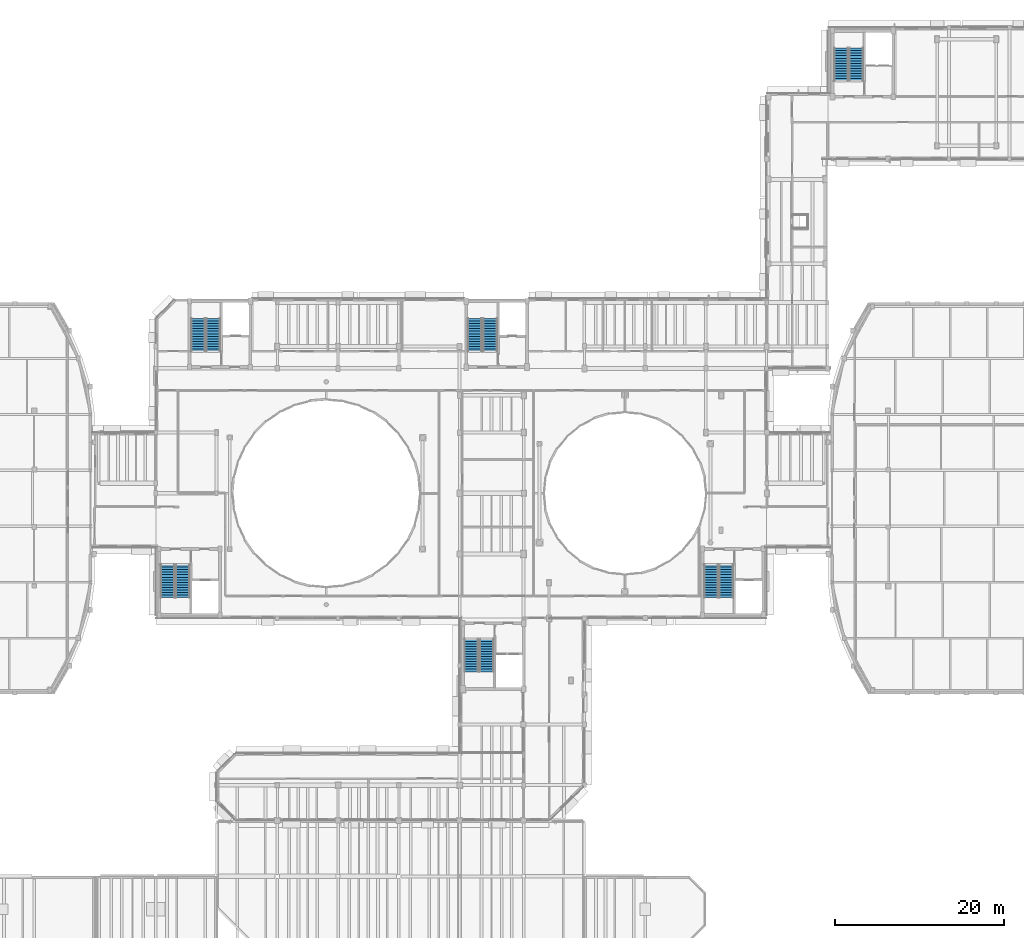
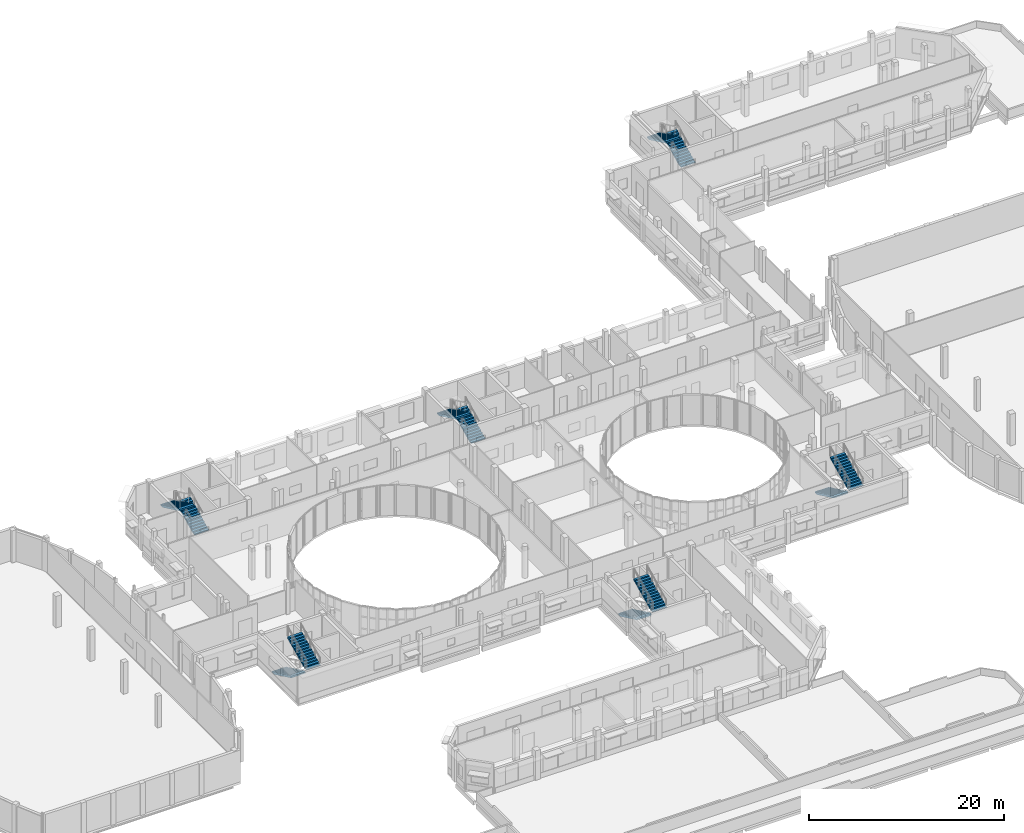
# One storey, part 88 of 105: 12 stair flights, 6 elements without a shape of their own.
"""IFC4 building model written with IfcOpenShell, lengths in metres."""

from ifc_helpers import new_model, si_unit, direction, frame, origin, place, context, subcontext, project, spatial, polyline, outline, extrude, material, type_object, element, aggregate, save


model = new_model("IFC4")

# Units and contexts
model_context = context("Model", 3, precision=1e-05, world=origin(), true_north=direction((0.0, 1.0)))
body_context = subcontext(model_context, "Body", "Model", "MODEL_VIEW")
ifc_project = project(units=[si_unit("LENGTHUNIT", "METRE"), si_unit("AREAUNIT", "SQUARE_METRE"), si_unit("VOLUMEUNIT", "CUBIC_METRE"), si_unit("PLANEANGLEUNIT", "RADIAN"), si_unit("MASSUNIT", "GRAM", prefix="KILO")], contexts=[model_context])

# Site, building, storey
site_placement = place(None, origin())
site = spatial("IfcSite", under=ifc_project, at=site_placement, CompositionType="ELEMENT")
building_placement = place(site_placement, origin())
building = spatial("IfcBuilding", under=site, at=building_placement, Name="Kelanivale Promenade Academy", CompositionType="ELEMENT")
storey_placement = place(building_placement, frame((0.0, 0.0, 4.199951171875)))
storey = spatial("IfcBuildingStorey", under=building, at=storey_placement, Name="L01", CompositionType="ELEMENT", Elevation=4.199951171875)

# Stair, stair flight
ifc_material = material(Name="Concrete C35/45", Category="concrete")
stair_type = type_object("IfcStairType", Name="ST-T02 Protected dog-leg upper-storey stair", PredefinedType="HALF_TURN_STAIR", material=ifc_material)
stair_1_placement = place(storey_placement, origin())
stair_1 = element("IfcStair", 1, at=stair_1_placement, inside=storey, type_object=stair_type, Name="L01 ST-01", PredefinedType="HALF_TURN_STAIR")
stair_flight_type_1 = type_object("IfcStairFlightType", Name="SF-T03 Core stair RC flight 14 risers x 142", PredefinedType="STRAIGHT", material=ifc_material)
stair_flight_1_placement = place(storey_placement, frame((80.610107421875, 39.544921875, 0.0), z_axis=(0.0, 0.0, 1.0), x_axis=(0.0, -1.0, 0.0)))
stair_flight_1 = element("IfcStairFlight", 2, at=stair_flight_1_placement, type_object=stair_flight_type_1, Name="ST-01 flight 1", NumberOfRisers=14, NumberOfTreads=13, PredefinedType="STRAIGHT", RiserHeight=0.142857143, TreadLength=0.3, context=body_context, shape_type="SweptSolid", body=[
    extrude(outline(polyline([(0.0, 0.0), (0.0, 0.142822265625), (0.300048828125, 0.142822265625), (0.300048828125, 0.28564453125), (0.60009765625, 0.28564453125), (0.60009765625, 0.428466796875), (0.89990234375, 0.428466796875), (0.89990234375, 0.571533203125), (1.199951171875, 0.571533203125), (1.199951171875, 0.71435546875), (1.5, 0.71435546875), (1.5, 0.857177734375), (1.800048828125, 0.857177734375), (1.800048828125, 1.0), (2.10009765625, 1.0), (2.10009765625, 1.142822265625), (2.39990234375, 1.142822265625), (2.39990234375, 1.28564453125), (2.699951171875, 1.28564453125), (2.699951171875, 1.428466796875), (3.0, 1.428466796875), (3.0, 1.571533203125), (3.300048828125, 1.571533203125), (3.300048828125, 1.71435546875), (3.60009765625, 1.71435546875), (3.60009765625, 1.857177734375), (3.89990234375, 1.857177734375), (3.89990234375, 2.0), (3.89990234375, 1.657958984375), (0.41845703125, 0.0), (0.0, 0.0)])), frame((0.0, 0.844970703125, 0.0), z_axis=(0.0, -1.0, 0.0), x_axis=(1.0, 0.0, 0.0)), (0.0, 0.0, 1.0), 1.68994140625),
])

stair_2_placement = place(storey_placement, origin())
stair_2 = element("IfcStair", 3, at=stair_2_placement, inside=storey, type_object=stair_type, Name="L01 ST-02", PredefinedType="HALF_TURN_STAIR")
stair_flight_2_placement = place(storey_placement, frame((82.820068359375, 73.60498046875, 0.0), z_axis=(0.0, 0.0, 1.0), x_axis=(0.0, 1.0, 0.0)))
stair_flight_2 = element("IfcStairFlight", 4, at=stair_flight_2_placement, type_object=stair_flight_type_1, Name="ST-02 flight 1", NumberOfRisers=14, NumberOfTreads=13, PredefinedType="STRAIGHT", RiserHeight=0.142857143, TreadLength=0.3, context=body_context, shape_type="SweptSolid", body=[
    extrude(outline(polyline([(0.0, 0.0), (0.0, 0.142822265625), (0.300048828125, 0.142822265625), (0.300048828125, 0.28564453125), (0.60009765625, 0.28564453125), (0.60009765625, 0.428466796875), (0.89990234375, 0.428466796875), (0.89990234375, 0.571533203125), (1.199951171875, 0.571533203125), (1.199951171875, 0.71435546875), (1.5, 0.71435546875), (1.5, 0.857177734375), (1.800048828125, 0.857177734375), (1.800048828125, 1.0), (2.10009765625, 1.0), (2.10009765625, 1.142822265625), (2.39990234375, 1.142822265625), (2.39990234375, 1.28564453125), (2.699951171875, 1.28564453125), (2.699951171875, 1.428466796875), (3.0, 1.428466796875), (3.0, 1.571533203125), (3.300048828125, 1.571533203125), (3.300048828125, 1.71435546875), (3.60009765625, 1.71435546875), (3.60009765625, 1.857177734375), (3.89990234375, 1.857177734375), (3.89990234375, 2.0), (3.89990234375, 1.657958984375), (0.41845703125, 0.0), (0.0, 0.0)])), frame((0.0, 0.844970703125, 0.0), z_axis=(0.0, -1.0, 0.0), x_axis=(1.0, 0.0, 0.0)), (0.0, 0.0, 1.0), 1.68994140625),
])

stair_3_placement = place(storey_placement, origin())
stair_3 = element("IfcStair", 5, at=stair_3_placement, inside=storey, type_object=stair_type, Name="L01 ST-03", PredefinedType="HALF_TURN_STAIR")
stair_flight_3_placement = place(storey_placement, frame((109.010009765625, 48.344970703125, 0.0), z_axis=(0.0, 0.0, 1.0), x_axis=(0.0, -1.0, 0.0)))
stair_flight_3 = element("IfcStairFlight", 6, at=stair_flight_3_placement, type_object=stair_flight_type_1, Name="ST-03 flight 1", NumberOfRisers=14, NumberOfTreads=13, PredefinedType="STRAIGHT", RiserHeight=0.142857143, TreadLength=0.3, context=body_context, shape_type="SweptSolid", body=[
    extrude(outline(polyline([(0.0, 0.0), (0.0, 0.142822265625), (0.300048828125, 0.142822265625), (0.300048828125, 0.28564453125), (0.60009765625, 0.28564453125), (0.60009765625, 0.428466796875), (0.89990234375, 0.428466796875), (0.89990234375, 0.571533203125), (1.199951171875, 0.571533203125), (1.199951171875, 0.71435546875), (1.5, 0.71435546875), (1.5, 0.857177734375), (1.800048828125, 0.857177734375), (1.800048828125, 1.0), (2.10009765625, 1.0), (2.10009765625, 1.142822265625), (2.39990234375, 1.142822265625), (2.39990234375, 1.28564453125), (2.699951171875, 1.28564453125), (2.699951171875, 1.428466796875), (3.0, 1.428466796875), (3.0, 1.571533203125), (3.300048828125, 1.571533203125), (3.300048828125, 1.71435546875), (3.60009765625, 1.71435546875), (3.60009765625, 1.857177734375), (3.89990234375, 1.857177734375), (3.89990234375, 2.0), (3.89990234375, 1.657958984375), (0.41845703125, 0.0), (0.0, 0.0)])), frame((0.0, 0.844970703125, 0.0), z_axis=(0.0, -1.0, 0.0), x_axis=(1.0, 0.0, 0.0)), (0.0, 0.0, 1.0), 1.68994140625),
])

stair_4_placement = place(storey_placement, origin())
stair_4 = element("IfcStair", 7, at=stair_4_placement, inside=storey, type_object=stair_type, Name="L01 ST-04", PredefinedType="HALF_TURN_STAIR")
stair_flight_4_placement = place(storey_placement, frame((50.02001953125, 73.60498046875, 0.0), z_axis=(0.0, 0.0, 1.0), x_axis=(0.0, 1.0, 0.0)))
stair_flight_4 = element("IfcStairFlight", 8, at=stair_flight_4_placement, type_object=stair_flight_type_1, Name="ST-04 flight 1", NumberOfRisers=14, NumberOfTreads=13, PredefinedType="STRAIGHT", RiserHeight=0.142857143, TreadLength=0.3, context=body_context, shape_type="SweptSolid", body=[
    extrude(outline(polyline([(0.0, 0.0), (0.0, 0.142822265625), (0.300048828125, 0.142822265625), (0.300048828125, 0.28564453125), (0.60009765625, 0.28564453125), (0.60009765625, 0.428466796875), (0.89990234375, 0.428466796875), (0.89990234375, 0.571533203125), (1.199951171875, 0.571533203125), (1.199951171875, 0.71435546875), (1.5, 0.71435546875), (1.5, 0.857177734375), (1.800048828125, 0.857177734375), (1.800048828125, 1.0), (2.10009765625, 1.0), (2.10009765625, 1.142822265625), (2.39990234375, 1.142822265625), (2.39990234375, 1.28564453125), (2.699951171875, 1.28564453125), (2.699951171875, 1.428466796875), (3.0, 1.428466796875), (3.0, 1.571533203125), (3.300048828125, 1.571533203125), (3.300048828125, 1.71435546875), (3.60009765625, 1.71435546875), (3.60009765625, 1.857177734375), (3.89990234375, 1.857177734375), (3.89990234375, 2.0), (3.89990234375, 1.657958984375), (0.41845703125, 0.0), (0.0, 0.0)])), frame((0.0, 0.844970703125, 0.0), z_axis=(0.0, -1.0, 0.0), x_axis=(1.0, 0.0, 0.0)), (0.0, 0.0, 1.0), 1.68994140625),
])

stair_5_placement = place(storey_placement, origin())
stair_5 = element("IfcStair", 9, at=stair_5_placement, inside=storey, type_object=stair_type, Name="L01 ST-05", PredefinedType="HALF_TURN_STAIR")
stair_flight_5_placement = place(storey_placement, frame((126.219970703125, 105.655029296875, 0.0), z_axis=(0.0, 0.0, 1.0), x_axis=(0.0, 1.0, 0.0)))
stair_flight_5 = element("IfcStairFlight", 10, at=stair_flight_5_placement, type_object=stair_flight_type_1, Name="ST-05 flight 1", NumberOfRisers=14, NumberOfTreads=13, PredefinedType="STRAIGHT", RiserHeight=0.142857143, TreadLength=0.3, context=body_context, shape_type="SweptSolid", body=[
    extrude(outline(polyline([(0.0, 0.0), (0.0, 0.142822265625), (0.300048828125, 0.142822265625), (0.300048828125, 0.28564453125), (0.60009765625, 0.28564453125), (0.60009765625, 0.428466796875), (0.89990234375, 0.428466796875), (0.89990234375, 0.571533203125), (1.199951171875, 0.571533203125), (1.199951171875, 0.71435546875), (1.5, 0.71435546875), (1.5, 0.857177734375), (1.800048828125, 0.857177734375), (1.800048828125, 1.0), (2.10009765625, 1.0), (2.10009765625, 1.142822265625), (2.39990234375, 1.142822265625), (2.39990234375, 1.28564453125), (2.699951171875, 1.28564453125), (2.699951171875, 1.428466796875), (3.0, 1.428466796875), (3.0, 1.571533203125), (3.300048828125, 1.571533203125), (3.300048828125, 1.71435546875), (3.60009765625, 1.71435546875), (3.60009765625, 1.857177734375), (3.89990234375, 1.857177734375), (3.89990234375, 2.0), (3.89990234375, 1.657958984375), (0.41845703125, 0.0), (0.0, 0.0)])), frame((0.0, 0.844970703125, 0.0), z_axis=(0.0, -1.0, 0.0), x_axis=(1.0, 0.0, 0.0)), (0.0, 0.0, 1.0), 1.68994140625),
])

stair_6_placement = place(storey_placement, origin())
stair_6 = element("IfcStair", 11, at=stair_6_placement, inside=storey, type_object=stair_type, Name="L01 ST-06", PredefinedType="HALF_TURN_STAIR")
stair_flight_6_placement = place(storey_placement, frame((44.610107421875, 48.344970703125, 0.0), z_axis=(0.0, 0.0, 1.0), x_axis=(0.0, -1.0, 0.0)))
stair_flight_6 = element("IfcStairFlight", 12, at=stair_flight_6_placement, type_object=stair_flight_type_1, Name="ST-06 flight 1", NumberOfRisers=14, NumberOfTreads=13, PredefinedType="STRAIGHT", RiserHeight=0.142857143, TreadLength=0.3, context=body_context, shape_type="SweptSolid", body=[
    extrude(outline(polyline([(0.0, 0.0), (0.0, 0.142822265625), (0.300048828125, 0.142822265625), (0.300048828125, 0.28564453125), (0.60009765625, 0.28564453125), (0.60009765625, 0.428466796875), (0.89990234375, 0.428466796875), (0.89990234375, 0.571533203125), (1.199951171875, 0.571533203125), (1.199951171875, 0.71435546875), (1.5, 0.71435546875), (1.5, 0.857177734375), (1.800048828125, 0.857177734375), (1.800048828125, 1.0), (2.10009765625, 1.0), (2.10009765625, 1.142822265625), (2.39990234375, 1.142822265625), (2.39990234375, 1.28564453125), (2.699951171875, 1.28564453125), (2.699951171875, 1.428466796875), (3.0, 1.428466796875), (3.0, 1.571533203125), (3.300048828125, 1.571533203125), (3.300048828125, 1.71435546875), (3.60009765625, 1.71435546875), (3.60009765625, 1.857177734375), (3.89990234375, 1.857177734375), (3.89990234375, 2.0), (3.89990234375, 1.657958984375), (0.41845703125, 0.0), (0.0, 0.0)])), frame((0.0, 0.844970703125, 0.0), z_axis=(0.0, -1.0, 0.0), x_axis=(1.0, 0.0, 0.0)), (0.0, 0.0, 1.0), 1.68994140625),
])

# Stair flight
stair_flight_type_2 = type_object("IfcStairFlightType", Name="SF-T04 Core stair RC return flight 14 riser", PredefinedType="STRAIGHT", material=ifc_material)
stair_flight_7_placement = place(storey_placement, frame((82.419921875, 35.64501953125, 2.0), z_axis=(0.0, 0.0, 1.0), x_axis=(0.0, 1.0, 0.0)))
stair_flight_7 = element("IfcStairFlight", 13, at=stair_flight_7_placement, type_object=stair_flight_type_2, Name="ST-01 flight 2", NumberOfRisers=14, NumberOfTreads=13, PredefinedType="STRAIGHT", RiserHeight=0.142857143, TreadLength=0.3, context=body_context, shape_type="SweptSolid", body=[
    extrude(outline(polyline([(0.0, 0.0), (0.0, 0.142822265625), (0.300048828125, 0.142822265625), (0.300048828125, 0.28564453125), (0.60009765625, 0.28564453125), (0.60009765625, 0.428466796875), (0.89990234375, 0.428466796875), (0.89990234375, 0.571533203125), (1.199951171875, 0.571533203125), (1.199951171875, 0.71435546875), (1.5, 0.71435546875), (1.5, 0.857177734375), (1.800048828125, 0.857177734375), (1.800048828125, 1.0), (2.10009765625, 1.0), (2.10009765625, 1.142822265625), (2.39990234375, 1.142822265625), (2.39990234375, 1.28564453125), (2.699951171875, 1.28564453125), (2.699951171875, 1.428466796875), (3.0, 1.428466796875), (3.0, 1.571533203125), (3.300048828125, 1.571533203125), (3.300048828125, 1.71435546875), (3.60009765625, 1.71435546875), (3.60009765625, 1.857177734375), (3.89990234375, 1.857177734375), (3.89990234375, 2.0), (3.89990234375, 1.657958984375), (0.41845703125, 0.0), (0.0, 0.0)])), frame((0.0, 0.844970703125, 0.0), z_axis=(0.0, -1.0, 0.0), x_axis=(1.0, 0.0, 0.0)), (0.0, 0.0, 1.0), 1.68994140625),
])

aggregate(stair_1, [stair_flight_1, stair_flight_7])

stair_flight_8_placement = place(storey_placement, frame((81.010009765625, 77.5048828125, 2.0), z_axis=(0.0, 0.0, 1.0), x_axis=(0.0, -1.0, 0.0)))
stair_flight_8 = element("IfcStairFlight", 14, at=stair_flight_8_placement, type_object=stair_flight_type_2, Name="ST-02 flight 2", NumberOfRisers=14, NumberOfTreads=13, PredefinedType="STRAIGHT", RiserHeight=0.142857143, TreadLength=0.3, context=body_context, shape_type="SweptSolid", body=[
    extrude(outline(polyline([(0.0, 0.0), (0.0, 0.142822265625), (0.300048828125, 0.142822265625), (0.300048828125, 0.28564453125), (0.60009765625, 0.28564453125), (0.60009765625, 0.428466796875), (0.89990234375, 0.428466796875), (0.89990234375, 0.571533203125), (1.199951171875, 0.571533203125), (1.199951171875, 0.71435546875), (1.5, 0.71435546875), (1.5, 0.857177734375), (1.800048828125, 0.857177734375), (1.800048828125, 1.0), (2.10009765625, 1.0), (2.10009765625, 1.142822265625), (2.39990234375, 1.142822265625), (2.39990234375, 1.28564453125), (2.699951171875, 1.28564453125), (2.699951171875, 1.428466796875), (3.0, 1.428466796875), (3.0, 1.571533203125), (3.300048828125, 1.571533203125), (3.300048828125, 1.71435546875), (3.60009765625, 1.71435546875), (3.60009765625, 1.857177734375), (3.89990234375, 1.857177734375), (3.89990234375, 2.0), (3.89990234375, 1.657958984375), (0.41845703125, 0.0), (0.0, 0.0)])), frame((0.0, 0.844970703125, 0.0), z_axis=(0.0, -1.0, 0.0), x_axis=(1.0, 0.0, 0.0)), (0.0, 0.0, 1.0), 1.68994140625),
])

aggregate(stair_2, [stair_flight_2, stair_flight_8])

stair_flight_9_placement = place(storey_placement, frame((110.820068359375, 44.445068359375, 2.0), z_axis=(0.0, 0.0, 1.0), x_axis=(0.0, 1.0, 0.0)))
stair_flight_9 = element("IfcStairFlight", 15, at=stair_flight_9_placement, type_object=stair_flight_type_2, Name="ST-03 flight 2", NumberOfRisers=14, NumberOfTreads=13, PredefinedType="STRAIGHT", RiserHeight=0.142857143, TreadLength=0.3, context=body_context, shape_type="SweptSolid", body=[
    extrude(outline(polyline([(0.0, 0.0), (0.0, 0.142822265625), (0.300048828125, 0.142822265625), (0.300048828125, 0.28564453125), (0.60009765625, 0.28564453125), (0.60009765625, 0.428466796875), (0.89990234375, 0.428466796875), (0.89990234375, 0.571533203125), (1.199951171875, 0.571533203125), (1.199951171875, 0.71435546875), (1.5, 0.71435546875), (1.5, 0.857177734375), (1.800048828125, 0.857177734375), (1.800048828125, 1.0), (2.10009765625, 1.0), (2.10009765625, 1.142822265625), (2.39990234375, 1.142822265625), (2.39990234375, 1.28564453125), (2.699951171875, 1.28564453125), (2.699951171875, 1.428466796875), (3.0, 1.428466796875), (3.0, 1.571533203125), (3.300048828125, 1.571533203125), (3.300048828125, 1.71435546875), (3.60009765625, 1.71435546875), (3.60009765625, 1.857177734375), (3.89990234375, 1.857177734375), (3.89990234375, 2.0), (3.89990234375, 1.657958984375), (0.41845703125, 0.0), (0.0, 0.0)])), frame((0.0, 0.844970703125, 0.0), z_axis=(0.0, -1.0, 0.0), x_axis=(1.0, 0.0, 0.0)), (0.0, 0.0, 1.0), 1.68994140625),
])

aggregate(stair_3, [stair_flight_3, stair_flight_9])

stair_flight_10_placement = place(storey_placement, frame((48.2099609375, 77.5048828125, 2.0), z_axis=(0.0, 0.0, 1.0), x_axis=(0.0, -1.0, 0.0)))
stair_flight_10 = element("IfcStairFlight", 16, at=stair_flight_10_placement, type_object=stair_flight_type_2, Name="ST-04 flight 2", NumberOfRisers=14, NumberOfTreads=13, PredefinedType="STRAIGHT", RiserHeight=0.142857143, TreadLength=0.3, context=body_context, shape_type="SweptSolid", body=[
    extrude(outline(polyline([(0.0, 0.0), (0.0, 0.142822265625), (0.300048828125, 0.142822265625), (0.300048828125, 0.28564453125), (0.60009765625, 0.28564453125), (0.60009765625, 0.428466796875), (0.89990234375, 0.428466796875), (0.89990234375, 0.571533203125), (1.199951171875, 0.571533203125), (1.199951171875, 0.71435546875), (1.5, 0.71435546875), (1.5, 0.857177734375), (1.800048828125, 0.857177734375), (1.800048828125, 1.0), (2.10009765625, 1.0), (2.10009765625, 1.142822265625), (2.39990234375, 1.142822265625), (2.39990234375, 1.28564453125), (2.699951171875, 1.28564453125), (2.699951171875, 1.428466796875), (3.0, 1.428466796875), (3.0, 1.571533203125), (3.300048828125, 1.571533203125), (3.300048828125, 1.71435546875), (3.60009765625, 1.71435546875), (3.60009765625, 1.857177734375), (3.89990234375, 1.857177734375), (3.89990234375, 2.0), (3.89990234375, 1.657958984375), (0.41845703125, 0.0), (0.0, 0.0)])), frame((0.0, 0.844970703125, 0.0), z_axis=(0.0, -1.0, 0.0), x_axis=(1.0, 0.0, 0.0)), (0.0, 0.0, 1.0), 1.68994140625),
])

aggregate(stair_4, [stair_flight_4, stair_flight_10])

stair_flight_11_placement = place(storey_placement, frame((124.409912109375, 109.554931640625, 2.0), z_axis=(0.0, 0.0, 1.0), x_axis=(0.0, -1.0, 0.0)))
stair_flight_11 = element("IfcStairFlight", 17, at=stair_flight_11_placement, type_object=stair_flight_type_2, Name="ST-05 flight 2", NumberOfRisers=14, NumberOfTreads=13, PredefinedType="STRAIGHT", RiserHeight=0.142857143, TreadLength=0.3, context=body_context, shape_type="SweptSolid", body=[
    extrude(outline(polyline([(0.0, 0.0), (0.0, 0.142822265625), (0.300048828125, 0.142822265625), (0.300048828125, 0.28564453125), (0.60009765625, 0.28564453125), (0.60009765625, 0.428466796875), (0.89990234375, 0.428466796875), (0.89990234375, 0.571533203125), (1.199951171875, 0.571533203125), (1.199951171875, 0.71435546875), (1.5, 0.71435546875), (1.5, 0.857177734375), (1.800048828125, 0.857177734375), (1.800048828125, 1.0), (2.10009765625, 1.0), (2.10009765625, 1.142822265625), (2.39990234375, 1.142822265625), (2.39990234375, 1.28564453125), (2.699951171875, 1.28564453125), (2.699951171875, 1.428466796875), (3.0, 1.428466796875), (3.0, 1.571533203125), (3.300048828125, 1.571533203125), (3.300048828125, 1.71435546875), (3.60009765625, 1.71435546875), (3.60009765625, 1.857177734375), (3.89990234375, 1.857177734375), (3.89990234375, 2.0), (3.89990234375, 1.657958984375), (0.41845703125, 0.0), (0.0, 0.0)])), frame((0.0, 0.844970703125, 0.0), z_axis=(0.0, -1.0, 0.0), x_axis=(1.0, 0.0, 0.0)), (0.0, 0.0, 1.0), 1.68994140625),
])

aggregate(stair_5, [stair_flight_5, stair_flight_11])

stair_flight_12_placement = place(storey_placement, frame((46.419921875, 44.445068359375, 2.0), z_axis=(0.0, 0.0, 1.0), x_axis=(0.0, 1.0, 0.0)))
stair_flight_12 = element("IfcStairFlight", 18, at=stair_flight_12_placement, type_object=stair_flight_type_2, Name="ST-06 flight 2", NumberOfRisers=14, NumberOfTreads=13, PredefinedType="STRAIGHT", RiserHeight=0.142857143, TreadLength=0.3, context=body_context, shape_type="SweptSolid", body=[
    extrude(outline(polyline([(0.0, 0.0), (0.0, 0.142822265625), (0.300048828125, 0.142822265625), (0.300048828125, 0.28564453125), (0.60009765625, 0.28564453125), (0.60009765625, 0.428466796875), (0.89990234375, 0.428466796875), (0.89990234375, 0.571533203125), (1.199951171875, 0.571533203125), (1.199951171875, 0.71435546875), (1.5, 0.71435546875), (1.5, 0.857177734375), (1.800048828125, 0.857177734375), (1.800048828125, 1.0), (2.10009765625, 1.0), (2.10009765625, 1.142822265625), (2.39990234375, 1.142822265625), (2.39990234375, 1.28564453125), (2.699951171875, 1.28564453125), (2.699951171875, 1.428466796875), (3.0, 1.428466796875), (3.0, 1.571533203125), (3.300048828125, 1.571533203125), (3.300048828125, 1.71435546875), (3.60009765625, 1.71435546875), (3.60009765625, 1.857177734375), (3.89990234375, 1.857177734375), (3.89990234375, 2.0), (3.89990234375, 1.657958984375), (0.41845703125, 0.0), (0.0, 0.0)])), frame((0.0, 0.844970703125, 0.0), z_axis=(0.0, -1.0, 0.0), x_axis=(1.0, 0.0, 0.0)), (0.0, 0.0, 1.0), 1.68994140625),
])

aggregate(stair_6, [stair_flight_6, stair_flight_12])

save(model, "model.ifc")
